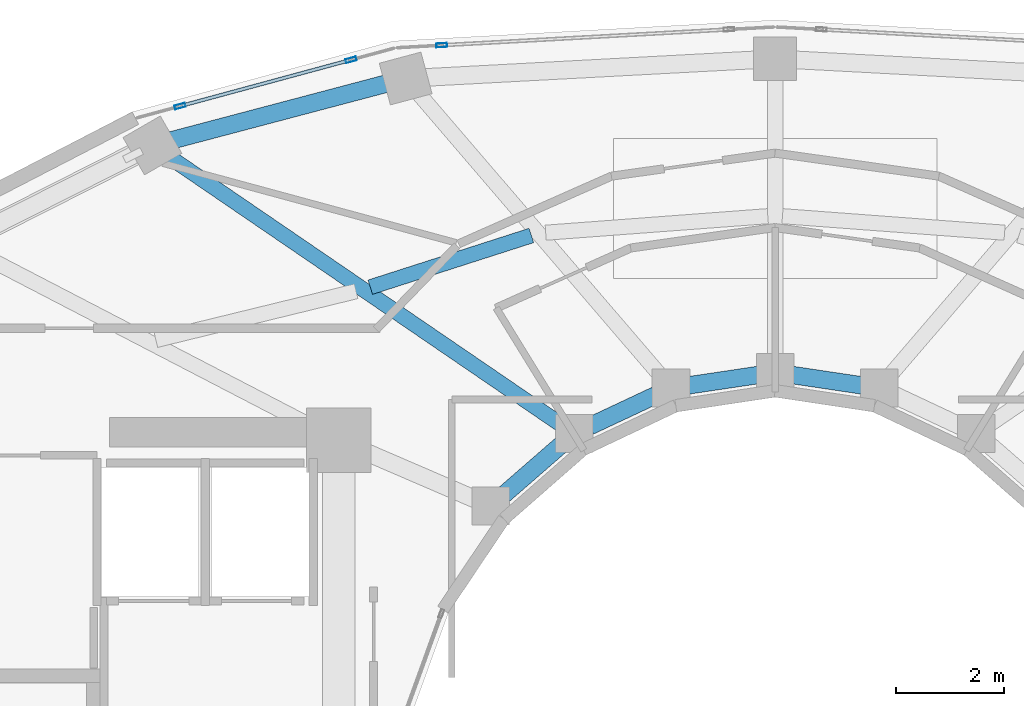
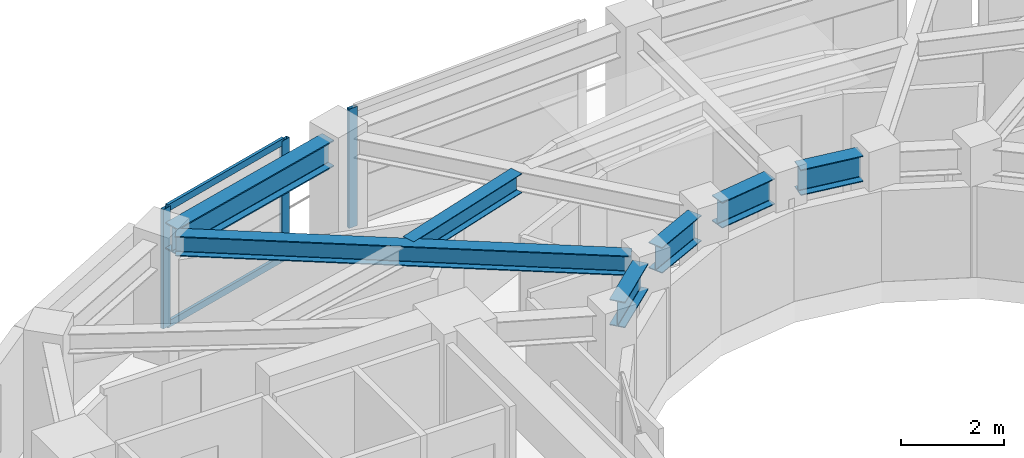
# One storey, part 6 of 19: 7 beams, 5 members, 2 elements without a shape of their own.
"""IFC4 building model written with IfcOpenShell, lengths in metres."""

from ifc_helpers import new_model, si_unit, direction, frame, origin, origin_2d, place, context, subcontext, project, spatial, hollow_rectangle, i_section, extrude, material, layer, layer_set, material_profile, profile_set, type_object, element, aggregate, save


model = new_model("IFC4")

# Units and contexts
model_context = context("Model", 3, precision=1e-05, world=origin(), true_north=direction((0.0, 1.0)))
body_context = subcontext(model_context, "Body", "Model", "MODEL_VIEW")
ifc_project = project(units=[si_unit("LENGTHUNIT", "METRE"), si_unit("AREAUNIT", "SQUARE_METRE"), si_unit("VOLUMEUNIT", "CUBIC_METRE"), si_unit("PLANEANGLEUNIT", "RADIAN"), si_unit("MASSUNIT", "GRAM", prefix="KILO")], contexts=[model_context])

# Site, building, storey
site_placement = place(None, origin())
site = spatial("IfcSite", under=ifc_project, at=site_placement, CompositionType="ELEMENT")
building_placement = place(site_placement, origin())
building = spatial("IfcBuilding", under=site, at=building_placement, Name="Solvane Sanctuary Tower", CompositionType="ELEMENT")
storey_placement = place(building_placement, frame((0.0, 0.0, 201.60009765625)))
storey = spatial("IfcBuildingStorey", under=building, at=storey_placement, Name="L61", CompositionType="ELEMENT", Elevation=201.60009765625)

# Beams
ifc_material_1 = material(Name="Steel ASTM A992 Grade 50", Category="steel")
ifc_material_profile_1 = material_profile(ifc_material_1, i_section(OverallWidth=0.282958984375, OverallDepth=0.471923828125, WebThickness=0.013671875, FlangeThickness=0.022216796875, FilletRadius=0.013916015625, at=origin_2d()), Name="W18X97")
ifc_profile_set_1 = profile_set([ifc_material_profile_1], Name="Steel ASTM A992 Grade 50")
beam_type_1 = type_object("IfcBeamType", Name="Beam B-RAD-Z4 W18X97", PredefinedType="JOIST", material=ifc_profile_set_1)
beam_1_placement = place(storey_placement, frame((28.038818359375, 30.484619140625, 2.641845703125), z_axis=(-0.825707980649, 0.564097802418, 0.0), x_axis=(-0.564097802418, -0.825707980649, 0.0)))
element("IfcBeam", 1, at=beam_1_placement, inside=storey, type_object=beam_type_1, Name="L61 Radial Composite Floor Beam 06", PredefinedType="JOIST", context=body_context, shape_type="SweptSolid", body=[
    extrude(i_section(OverallWidth=0.282958984375, OverallDepth=0.471923828125, WebThickness=0.013671875, FlangeThickness=0.022216796875, FilletRadius=0.013916015625, at=origin_2d()), origin(), (0.0, 0.0, 1.0), 8.9169921875),
])
ifc_material_profile_2 = material_profile(ifc_material_1, i_section(OverallWidth=0.324951171875, OverallDepth=0.615966796875, WebThickness=0.013916015625, FlangeThickness=0.021484375, FilletRadius=0.01611328125, at=origin_2d()), Name="W24X117")
ifc_profile_set_2 = profile_set([ifc_material_profile_2], Name="Steel ASTM A992 Grade 50")
beam_type_2 = type_object("IfcBeamType", Name="Beam B-RING-IN2 W24X117", PredefinedType="BEAM", material=ifc_profile_set_2)
beam_2_placement = place(storey_placement, frame((26.96630859375, 29.192138671875, 2.56982421875), z_axis=(0.754388985763, 0.656427648839, 0.0), x_axis=(-0.656427648839, 0.754388985763, 0.0)))
element("IfcBeam", 2, at=beam_2_placement, inside=storey, type_object=beam_type_2, Name="L61 Inner Light-Well Ring Beam IC07-IC06", PredefinedType="BEAM", context=body_context, shape_type="SweptSolid", body=[
    extrude(i_section(OverallWidth=0.324951171875, OverallDepth=0.615966796875, WebThickness=0.013916015625, FlangeThickness=0.021484375, FilletRadius=0.01611328125, at=origin_2d()), origin(), (0.0, 0.0, 1.0), 1.408203125),
])
beam_3_placement = place(storey_placement, frame((28.5595703125, 30.462646484375, 2.56982421875), z_axis=(0.905134542189, 0.425125229241, 0.0), x_axis=(-0.425125229241, 0.905134542189, 0.0)))
element("IfcBeam", 3, at=beam_3_placement, inside=storey, type_object=beam_type_2, Name="L61 Inner Light-Well Ring Beam IC06-IC05", PredefinedType="BEAM", context=body_context, shape_type="SweptSolid", body=[
    extrude(i_section(OverallWidth=0.324951171875, OverallDepth=0.615966796875, WebThickness=0.013916015625, FlangeThickness=0.021484375, FilletRadius=0.01611328125, at=origin_2d()), origin(), (0.0, 0.0, 1.0), 1.347900390625),
])
for number, where, z_axis, x_axis, name in (
    (4, (30.3857421875, 31.218994140625, 2.56982421875), (0.989056121481, 0.147539786368, 0.0), (-0.147539786368, 0.989056121481, 0.0), "L61 Inner Light-Well Ring Beam IC05-IC04"),
    (5, (32.31640625, 31.41259765625, 2.56982421875), (0.989056121481, -0.147539786368, 0.0), (0.147539786368, 0.989056121481, 0.0), "L61 Inner Light-Well Ring Beam IC04-IC03"),
):
    element("IfcBeam", number, at=place(storey_placement, frame(where, z_axis=z_axis, x_axis=x_axis)), inside=storey, type_object=beam_type_2, Name=name, PredefinedType="BEAM", context=body_context, shape_type="SweptSolid", body=[
        extrude(i_section(OverallWidth=0.324951171875, OverallDepth=0.615966796875, WebThickness=0.013916015625, FlangeThickness=0.021484375, FilletRadius=0.01611328125, at=origin_2d()), origin(), (0.0, 0.0, 1.0), 1.312255859375),
    ])
ifc_material_profile_3 = material_profile(ifc_material_1, i_section(OverallWidth=0.280029296875, OverallDepth=0.462890625, WebThickness=0.0107421875, FlangeThickness=0.017333984375, FilletRadius=0.013916015625, at=origin_2d()), Name="W18X76")
ifc_profile_set_3 = profile_set([ifc_material_profile_3], Name="Steel ASTM A992 Grade 50")
beam_type_3 = type_object("IfcBeamType", Name="Beam B-SEC-JOIST W18X76", PredefinedType="JOIST", material=ifc_profile_set_3)
beam_4_placement = place(storey_placement, frame((24.487548828125, 33.04150390625, 2.646484375), z_axis=(0.952124803756, 0.305709597612, 0.0), x_axis=(-0.305709597612, 0.952124803756, 0.0)))
element("IfcBeam", 6, at=beam_4_placement, inside=storey, type_object=beam_type_3, Name="L61 Secondary Circumferential Joist 06-05", PredefinedType="JOIST", context=body_context, shape_type="SweptSolid", body=[
    extrude(i_section(OverallWidth=0.280029296875, OverallDepth=0.462890625, WebThickness=0.0107421875, FlangeThickness=0.017333984375, FilletRadius=0.013916015625, at=origin_2d()), origin(), (0.0, 0.0, 1.0), 3.139404296875),
])
ifc_material_profile_4 = material_profile(ifc_material_1, i_section(OverallWidth=0.327880859375, OverallDepth=0.6279296875, WebThickness=0.0166015625, FlangeThickness=0.027587890625, FilletRadius=0.01611328125, at=origin_2d()), Name="W24X146")
ifc_profile_set_4 = profile_set([ifc_material_profile_4], Name="Steel ASTM A992 Grade 50")
beam_type_4 = type_object("IfcBeamType", Name="Beam B-SPAND-Z3 W24X146", PredefinedType="SPANDREL", material=ifc_profile_set_4)
beam_5_placement = place(storey_placement, frame((20.715576171875, 35.744140625, 2.56396484375), z_axis=(0.966816659466, 0.255471225343, 0.0), x_axis=(-0.255471225343, 0.966816659466, 0.0)))
element("IfcBeam", 7, at=beam_5_placement, inside=storey, type_object=beam_type_4, Name="L61 Perimeter Spandrel Beam TC06-TC05", PredefinedType="SPANDREL", context=body_context, shape_type="SweptSolid", body=[
    extrude(i_section(OverallWidth=0.327880859375, OverallDepth=0.6279296875, WebThickness=0.0166015625, FlangeThickness=0.027587890625, FilletRadius=0.01611328125, at=origin_2d()), origin(), (0.0, 0.0, 1.0), 4.300537109375),
])

# Curtain wall, member
ifc_material_2 = material(Name="Anodised Aluminium 6063-T6", Category="aluminium")
ifc_layer = layer(ifc_material_2, 0.18994140625, Name="Anodised Aluminium 6063-T6")
ifc_layer_set = layer_set([ifc_layer], Name="Anodised Aluminium 6063-T6")
curtain_wall_type = type_object("IfcCurtainWallType", Name="Curtain Wall CW-OPER", PredefinedType="NOTDEFINED", material=ifc_layer_set)
curtain_wall_1_placement = place(storey_placement, origin())
curtain_wall_1 = element("IfcCurtainWall", 8, at=curtain_wall_1_placement, inside=storey, type_object=curtain_wall_type, Name="L61 CW-OPER Facade Run 06", PredefinedType="NOTDEFINED")
ifc_material_profile_5 = material_profile(ifc_material_2, hollow_rectangle(XDim=0.074951171875, YDim=0.199951171875, WallThickness=0.00390625, at=origin_2d()), Name="ALU200X75X4")
ifc_profile_set_5 = profile_set([ifc_material_profile_5], Name="Anodised Aluminium 6063-T6")
member_type_1 = type_object("IfcMemberType", Name="Member M-CW-MUL-1 ALU200X75X4", PredefinedType="MULLION", material=ifc_profile_set_5)
member_1_placement = place(storey_placement, frame((25.813232421875, 37.53173828125, 0.0), z_axis=(0.0, 0.0, 1.0), x_axis=(0.054917553251, -0.99849089247, 0.0)))
member_1 = element("IfcMember", 9, at=member_1_placement, type_object=member_type_1, Name="CW-OPER mullion 2", PredefinedType="MULLION", context=body_context, shape_type="SweptSolid", body=[
    extrude(hollow_rectangle(XDim=0.074951171875, YDim=0.199951171875, WallThickness=0.00390625, at=origin_2d()), origin(), (0.0, 0.0, 1.0), 2.83984375),
])
aggregate(curtain_wall_1, [member_1])

# Curtain wall, members
curtain_wall_2_placement = place(storey_placement, origin())
curtain_wall_2 = element("IfcCurtainWall", 10, at=curtain_wall_2_placement, inside=storey, type_object=curtain_wall_type, Name="L61 CW-OPER Facade Run 07", PredefinedType="NOTDEFINED")
member_2_placement = place(storey_placement, frame((24.12939453125, 37.260498046875, 0.0), z_axis=(0.0, 0.0, 1.0), x_axis=(0.261468027073, -0.965212137728, 0.0)))
member_2 = element("IfcMember", 11, at=member_2_placement, type_object=member_type_1, Name="CW-OPER mullion 1", PredefinedType="MULLION", context=body_context, shape_type="SweptSolid", body=[
    extrude(hollow_rectangle(XDim=0.074951171875, YDim=0.199951171875, WallThickness=0.00390625, at=origin_2d()), origin(), (0.0, 0.0, 1.0), 2.83984375),
])
member_3_placement = place(storey_placement, frame((20.95751953125, 36.4013671875, 0.0), z_axis=(0.0, 0.0, 1.0), x_axis=(0.261468027073, -0.965212137728, 0.0)))
member_3 = element("IfcMember", 12, at=member_3_placement, type_object=member_type_1, Name="CW-OPER mullion 2", PredefinedType="MULLION", context=body_context, shape_type="SweptSolid", body=[
    extrude(hollow_rectangle(XDim=0.074951171875, YDim=0.199951171875, WallThickness=0.00390625, at=origin_2d()), origin(), (0.0, 0.0, 1.0), 2.83984375),
])
ifc_material_profile_6 = material_profile(ifc_material_2, hollow_rectangle(XDim=0.06494140625, YDim=0.159912109375, WallThickness=0.00341796875, at=origin_2d()), Name="ALU160X65X3.5")
ifc_profile_set_6 = profile_set([ifc_material_profile_6], Name="Anodised Aluminium 6063-T6")
member_type_2 = type_object("IfcMemberType", Name="Member M-CW-TRN-1 ALU160X65X3.5", PredefinedType="USERDEFINED", material=ifc_profile_set_6)
member_4_placement = place(storey_placement, frame((24.093017578125, 37.250732421875, 0.032470703125), z_axis=(-0.965206383787, -0.261489266885, 0.0), x_axis=(0.261489266885, -0.965206383787, 0.0)))
member_4 = element("IfcMember", 13, at=member_4_placement, type_object=member_type_2, Name="CW-OPER transom 1.1", ObjectType="TRANSOM", PredefinedType="USERDEFINED", context=body_context, shape_type="SweptSolid", body=[
    extrude(hollow_rectangle(XDim=0.06494140625, YDim=0.159912109375, WallThickness=0.00341796875, at=origin_2d()), origin(), (0.0, 0.0, 1.0), 3.2109375),
])
member_5_placement = place(storey_placement, frame((24.093017578125, 37.250732421875, 2.807373046875), z_axis=(-0.965206383787, -0.261489266885, 0.0), x_axis=(0.261489266885, -0.965206383787, 0.0)))
member_5 = element("IfcMember", 14, at=member_5_placement, type_object=member_type_2, Name="CW-OPER transom 1.2", ObjectType="TRANSOM", PredefinedType="USERDEFINED", context=body_context, shape_type="SweptSolid", body=[
    extrude(hollow_rectangle(XDim=0.06494140625, YDim=0.159912109375, WallThickness=0.00341796875, at=origin_2d()), origin(), (0.0, 0.0, 1.0), 3.2109375),
])
aggregate(curtain_wall_2, [member_2, member_3, member_4, member_5])

save(model, "model.ifc")
